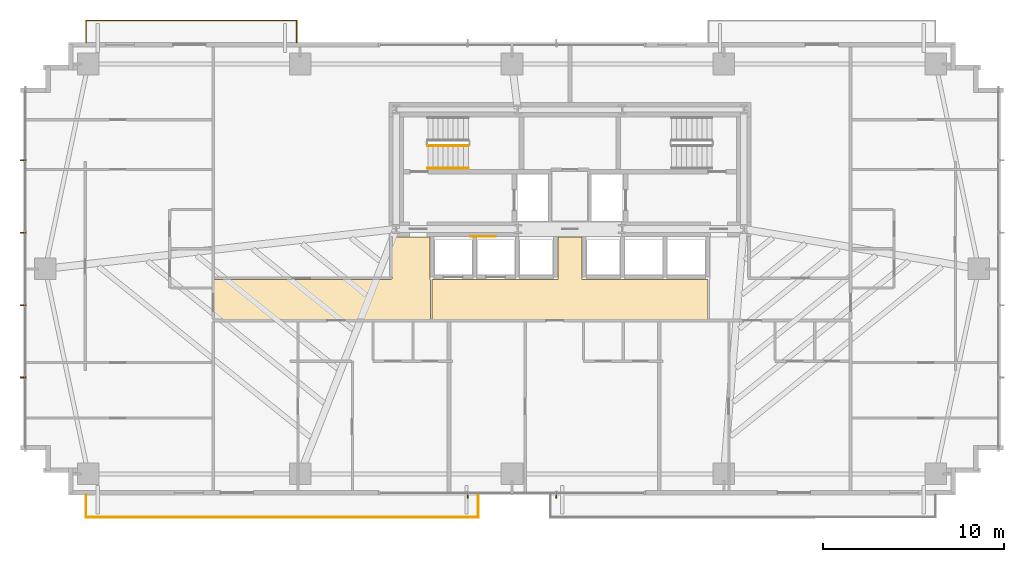
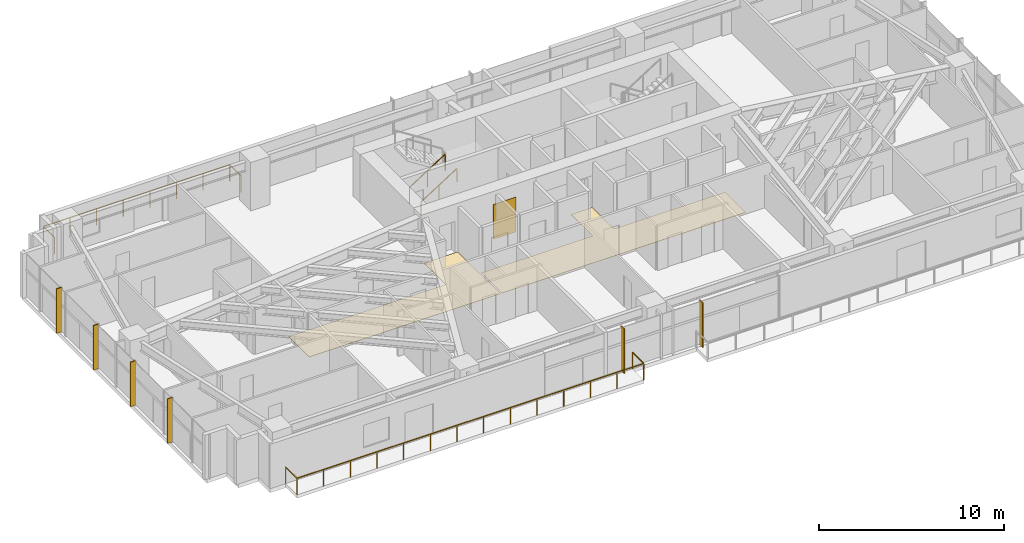
# One storey, part 23 of 25: 6 shading devices, 4 railings, 3 coverings.
"""IFC4 building model written with IfcOpenShell, lengths in metres."""

from ifc_helpers import new_model, si_unit, direction, frame, origin, origin_2d, place, context, subcontext, project, spatial, polyline, rectangle, outline, extrude, source, transform, mapped, material, layer, layer_set, type_object, type_shapes, element, save


model = new_model("IFC4")

# Units and contexts
model_context = context("Model", 3, precision=1e-05, world=origin(), true_north=direction((0.0, 1.0)))
body_context = subcontext(model_context, "Body", "Model", "MODEL_VIEW")
ifc_project = project(units=[si_unit("LENGTHUNIT", "METRE"), si_unit("AREAUNIT", "SQUARE_METRE"), si_unit("VOLUMEUNIT", "CUBIC_METRE"), si_unit("PLANEANGLEUNIT", "RADIAN"), si_unit("MASSUNIT", "GRAM", prefix="KILO")], contexts=[model_context])

# Site, building, storey
site_placement = place(None, origin())
site = spatial("IfcSite", under=ifc_project, at=site_placement, CompositionType="ELEMENT")
building_placement = place(site_placement, origin())
building = spatial("IfcBuilding", under=site, at=building_placement, Name="Astriad Promenade Condominiums", CompositionType="ELEMENT")
storey_placement = place(building_placement, frame((0.0, 0.0, 51.800048828125)))
storey = spatial("IfcBuildingStorey", under=building, at=storey_placement, Name="L14", CompositionType="ELEMENT", Elevation=51.800048828125)

# Coverings
ifc_material_1 = material(Name="Polished Lakefront Terrazzo Flooring")
ifc_layer_1 = layer(ifc_material_1, 0.02001953125)
ifc_layer_set_1 = layer_set([ifc_layer_1], Name="Polished Lakefront Terrazzo Flooring")
covering_type_1 = type_object("IfcCoveringType", Name="COV-FLOR-TERRAZZO-20", PredefinedType="FLOORING", material=ifc_layer_set_1)
covering_1_placement = place(storey_placement, origin())
element("IfcCovering", 1, at=covering_1_placement, inside=storey, type_object=covering_type_1, Name="FLR-L14-LLB", PredefinedType="FLOORING", context=body_context, shape_type="SweptSolid", body=[
    extrude(outline(polyline([(43.610107421875, 14.610107421875), (43.610107421875, 12.389892578125), (28.389892578125, 12.389892578125), (28.389892578125, 14.610107421875), (35.300048828125, 14.610107421875), (35.303955078125, 14.610107421875), (35.307861328125, 14.61083984375), (35.3115234375, 14.61181640625), (35.315185546875, 14.613037109375), (35.31884765625, 14.61474609375), (35.322265625, 14.61669921875), (35.325439453125, 14.619140625), (35.328369140625, 14.62158203125), (35.330810546875, 14.62451171875), (35.333251953125, 14.627685546875), (35.335205078125, 14.631103515625), (35.3369140625, 14.634765625), (35.33837890625, 14.638427734375), (35.339111328125, 14.64208984375), (35.33984375, 14.64599609375), (35.340087890625, 14.64990234375), (35.340087890625, 16.9599609375), (36.659912109375, 16.9599609375), (36.659912109375, 14.64990234375), (36.66015625, 14.64599609375), (36.660888671875, 14.64208984375), (36.66162109375, 14.638427734375), (36.6630859375, 14.634765625), (36.664794921875, 14.631103515625), (36.666748046875, 14.627685546875), (36.669189453125, 14.62451171875), (36.671630859375, 14.62158203125), (36.674560546875, 14.619140625), (36.677734375, 14.61669921875), (36.68115234375, 14.61474609375), (36.684814453125, 14.613037109375), (36.6884765625, 14.61181640625), (36.692138671875, 14.61083984375), (36.696044921875, 14.610107421875), (36.699951171875, 14.610107421875), (43.610107421875, 14.610107421875)])), origin(), (0.0, 0.0, 1.0), 0.02001953125),
])
covering_2_placement = place(storey_placement, origin())
element("IfcCovering", 2, at=covering_2_placement, inside=storey, type_object=covering_type_1, Name="FLR-L14-COR-2", PredefinedType="FLOORING", context=body_context, shape_type="SweptSolid", body=[
    extrude(outline(polyline([(28.300048828125, 12.389892578125), (16.340087890625, 12.389892578125), (16.340087890625, 14.6201171875), (26.1201171875, 14.6201171875), (26.123779296875, 14.6201171875), (26.127685546875, 14.620849609375), (26.131591796875, 14.62158203125), (26.13525390625, 14.623046875), (26.138916015625, 14.624755859375), (26.14208984375, 14.626708984375), (26.1455078125, 14.629150390625), (26.148193359375, 14.631591796875), (26.15087890625, 14.634521484375), (26.1533203125, 14.6376953125), (26.1552734375, 14.64111328125), (26.156982421875, 14.644775390625), (26.158203125, 14.6484375), (26.1591796875, 14.652099609375), (26.159912109375, 14.656005859375), (26.159912109375, 14.659912109375), (26.159912109375, 16.9599609375), (28.260009765625, 16.9599609375), (28.260009765625, 14.64990234375), (28.26025390625, 14.64599609375), (28.2607421875, 14.64208984375), (28.26171875, 14.638427734375), (28.262939453125, 14.634765625), (28.2646484375, 14.631103515625), (28.2666015625, 14.627685546875), (28.26904296875, 14.62451171875), (28.271728515625, 14.62158203125), (28.274658203125, 14.619140625), (28.27783203125, 14.61669921875), (28.281005859375, 14.61474609375), (28.28466796875, 14.613037109375), (28.288330078125, 14.61181640625), (28.292236328125, 14.61083984375), (28.296142578125, 14.610107421875), (28.300048828125, 14.610107421875), (28.300048828125, 12.389892578125)])), origin(), (0.0, 0.0, 1.0), 0.02001953125),
])

# Shading devices
ifc_material_2 = material(Name="Anodised aluminium 6063-T6 Black Fin", Category="aluminium")
shading_device_type = type_object("IfcShadingDeviceType", Name="FIN-BLACK-320", PredefinedType="USERDEFINED", material=ifc_material_2)
shared_shape_1 = source(origin(), body_context, "Body", "SweptSolid", [
    extrude(rectangle(XDim=0.06494140625, YDim=0.320068359375, at=origin_2d()), origin(), (0.0, 0.0, 1.0), 2.93994140625),
])
type_shapes(shading_device_type, [shared_shape_1])
for number, where, z_axis, x_axis, name in (
    (3, (5.7900390625, 9.199951171875, 0.0), (0.0, 0.0, 1.0), (0.0, 1.0, 0.0), "CW-L14-W-FIN-01"),
    (4, (5.7900390625, 13.199951171875, 0.0), (0.0, 0.0, 1.0), (0.0, 1.0, 0.0), "CW-L14-W-FIN-02"),
    (5, (5.7900390625, 17.199951171875, 0.0), (0.0, 0.0, 1.0), (0.0, 1.0, 0.0), "CW-L14-W-FIN-03"),
    (6, (5.7900390625, 21.199951171875, 0.0), (0.0, 0.0, 1.0), (0.0, 1.0, 0.0), "CW-L14-W-FIN-04"),
    (7, (35.25, 2.68994140625, 0.0), (0.0, 0.0, 1.0), (-1.0, 0.0, 0.0), "CW-L14-S-FIN-01"),
    (8, (30.35009765625, 2.68994140625, 0.0), (0.0, 0.0, 1.0), (-1.0, 0.0, 0.0), "CW-L14-S-FIN-02"),
):
    element("IfcShadingDevice", number, at=place(storey_placement, frame(where, z_axis=z_axis, x_axis=x_axis)), inside=storey, type_object=shading_device_type, Name=name, ObjectType="FIN", PredefinedType="USERDEFINED", context=body_context, shape_type="MappedRepresentation", body=[
        mapped(shared_shape_1, transform((0.0, 0.0, 0.0), scale=1.0)),
    ])

# Railings
ifc_material_3 = material(Name="Laminated Glass and Stainless Steel Balustrade", Category="steel")
railing_type_1 = type_object("IfcRailingType", Name="GRD-BALC-1120", PredefinedType="BALUSTRADE", material=ifc_material_3)
shared_shape_2 = source(origin(), body_context, "Body", "SweptSolid", [
    extrude(rectangle(XDim=0.048095703125, YDim=0.048095703125, at=origin_2d()), frame((0.0, 0.0, 1.09619140625), z_axis=(0.0, -1.0, 0.0), x_axis=(1.0, 0.0, 0.0)), (0.0, 0.0, 1.0), 1.219970703125),
    extrude(rectangle(XDim=0.048095703125, YDim=0.048095703125, at=origin_2d()), frame((0.0, -1.219970703125, 1.09619140625), z_axis=(1.0, 0.0, 0.0), x_axis=(0.0, 1.0, 0.0)), (0.0, 0.0, 1.0), 21.6669921875),
    extrude(rectangle(XDim=0.048095703125, YDim=0.048095703125, at=origin_2d()), frame((21.6669921875, -1.219970703125, 1.09619140625), z_axis=(0.0, 1.0, 0.0), x_axis=(-1.0, 0.0, 0.0)), (0.0, 0.0, 1.0), 1.219970703125),
    extrude(rectangle(XDim=0.0419921875, YDim=0.0419921875, at=origin_2d()), origin(), (0.0, 0.0, 1.0), 1.072021484375),
    extrude(rectangle(XDim=0.0419921875, YDim=0.0419921875, at=origin_2d()), frame((0.0, -1.219970703125, 0.0)), (0.0, 0.0, 1.0), 1.072021484375),
    extrude(rectangle(XDim=0.0419921875, YDim=0.0419921875, at=origin_2d()), frame((1.666748046875, -1.219970703125, 0.0)), (0.0, 0.0, 1.0), 1.072021484375),
    extrude(rectangle(XDim=0.0419921875, YDim=0.0419921875, at=origin_2d()), frame((3.33349609375, -1.219970703125, 0.0)), (0.0, 0.0, 1.0), 1.072021484375),
    extrude(rectangle(XDim=0.0419921875, YDim=0.0419921875, at=origin_2d()), frame((5.0, -1.219970703125, 0.0)), (0.0, 0.0, 1.0), 1.072021484375),
    extrude(rectangle(XDim=0.0419921875, YDim=0.0419921875, at=origin_2d()), frame((6.666748046875, -1.219970703125, 0.0)), (0.0, 0.0, 1.0), 1.072021484375),
    extrude(rectangle(XDim=0.0419921875, YDim=0.0419921875, at=origin_2d()), frame((8.33349609375, -1.219970703125, 0.0)), (0.0, 0.0, 1.0), 1.072021484375),
    extrude(rectangle(XDim=0.0419921875, YDim=0.0419921875, at=origin_2d()), frame((10.000244140625, -1.219970703125, 0.0)), (0.0, 0.0, 1.0), 1.072021484375),
    extrude(rectangle(XDim=0.0419921875, YDim=0.0419921875, at=origin_2d()), frame((11.666748046875, -1.219970703125, 0.0)), (0.0, 0.0, 1.0), 1.072021484375),
    extrude(rectangle(XDim=0.0419921875, YDim=0.0419921875, at=origin_2d()), frame((13.33349609375, -1.219970703125, 0.0)), (0.0, 0.0, 1.0), 1.072021484375),
    extrude(rectangle(XDim=0.0419921875, YDim=0.0419921875, at=origin_2d()), frame((15.000244140625, -1.219970703125, 0.0)), (0.0, 0.0, 1.0), 1.072021484375),
    extrude(rectangle(XDim=0.0419921875, YDim=0.0419921875, at=origin_2d()), frame((16.6669921875, -1.219970703125, 0.0)), (0.0, 0.0, 1.0), 1.072021484375),
    extrude(rectangle(XDim=0.0419921875, YDim=0.0419921875, at=origin_2d()), frame((18.33349609375, -1.219970703125, 0.0)), (0.0, 0.0, 1.0), 1.072021484375),
    extrude(rectangle(XDim=0.0419921875, YDim=0.0419921875, at=origin_2d()), frame((20.000244140625, -1.219970703125, 0.0)), (0.0, 0.0, 1.0), 1.072021484375),
    extrude(rectangle(XDim=0.0419921875, YDim=0.0419921875, at=origin_2d()), frame((21.6669921875, -1.219970703125, 0.0)), (0.0, 0.0, 1.0), 1.072021484375),
    extrude(rectangle(XDim=0.0419921875, YDim=0.0419921875, at=origin_2d()), frame((21.6669921875, 0.0, 0.0)), (0.0, 0.0, 1.0), 1.072021484375),
])
railing_1_placement = place(storey_placement, frame((9.277099609375, 2.699951171875, 0.0)))
element("IfcRailing", 9, at=railing_1_placement, inside=storey, type_object=railing_type_1, Name="GRD-BALC-L14-SW", PredefinedType="BALUSTRADE", context=body_context, shape_type="MappedRepresentation", body=[
    mapped(shared_shape_2, transform((0.0, 0.0, 0.0), scale=1.0)),
])
shared_shape_3 = source(origin(), body_context, "Body", "SweptSolid", [
    extrude(rectangle(XDim=0.048095703125, YDim=0.048095703125, at=origin_2d()), frame((0.0, 0.0, 1.09619140625), z_axis=(0.0, 1.0, 0.0), x_axis=(-1.0, 0.0, 0.0)), (0.0, 0.0, 1.0), 1.219970703125),
    extrude(rectangle(XDim=0.048095703125, YDim=0.048095703125, at=origin_2d()), frame((0.0, 1.219970703125, 1.09619140625), z_axis=(-1.0, 0.0, 0.0), x_axis=(0.0, -1.0, 0.0)), (0.0, 0.0, 1.0), 11.642822265625),
    extrude(rectangle(XDim=0.048095703125, YDim=0.048095703125, at=origin_2d()), frame((-11.642822265625, 1.219970703125, 1.09619140625), z_axis=(0.0, -1.0, 0.0), x_axis=(1.0, 0.0, 0.0)), (0.0, 0.0, 1.0), 1.219970703125),
    extrude(rectangle(XDim=0.0419921875, YDim=0.0419921875, at=origin_2d()), origin(), (0.0, 0.0, 1.0), 1.072021484375),
    extrude(rectangle(XDim=0.0419921875, YDim=0.0419921875, at=origin_2d()), frame((0.0, 1.219970703125, 0.0)), (0.0, 0.0, 1.0), 1.072021484375),
    extrude(rectangle(XDim=0.0419921875, YDim=0.0419921875, at=origin_2d()), frame((-1.663330078125, 1.219970703125, 0.0)), (0.0, 0.0, 1.0), 1.072021484375),
    extrude(rectangle(XDim=0.0419921875, YDim=0.0419921875, at=origin_2d()), frame((-3.326416015625, 1.219970703125, 0.0)), (0.0, 0.0, 1.0), 1.072021484375),
    extrude(rectangle(XDim=0.0419921875, YDim=0.0419921875, at=origin_2d()), frame((-4.98974609375, 1.219970703125, 0.0)), (0.0, 0.0, 1.0), 1.072021484375),
    extrude(rectangle(XDim=0.0419921875, YDim=0.0419921875, at=origin_2d()), frame((-6.653076171875, 1.219970703125, 0.0)), (0.0, 0.0, 1.0), 1.072021484375),
    extrude(rectangle(XDim=0.0419921875, YDim=0.0419921875, at=origin_2d()), frame((-8.31640625, 1.219970703125, 0.0)), (0.0, 0.0, 1.0), 1.072021484375),
    extrude(rectangle(XDim=0.0419921875, YDim=0.0419921875, at=origin_2d()), frame((-9.9794921875, 1.219970703125, 0.0)), (0.0, 0.0, 1.0), 1.072021484375),
    extrude(rectangle(XDim=0.0419921875, YDim=0.0419921875, at=origin_2d()), frame((-11.642822265625, 1.219970703125, 0.0)), (0.0, 0.0, 1.0), 1.072021484375),
    extrude(rectangle(XDim=0.0419921875, YDim=0.0419921875, at=origin_2d()), frame((-11.642822265625, 0.0, 0.0)), (0.0, 0.0, 1.0), 1.072021484375),
])
type_shapes(railing_type_1, [shared_shape_2, shared_shape_3])
railing_2_placement = place(storey_placement, frame((20.919921875, 27.699951171875, 0.0)))
element("IfcRailing", 10, at=railing_2_placement, inside=storey, type_object=railing_type_1, Name="GRD-BALC-L14-NW", PredefinedType="BALUSTRADE", context=body_context, shape_type="MappedRepresentation", body=[
    mapped(shared_shape_3, transform((0.0, 0.0, 0.0), scale=1.0)),
])
ifc_material_4 = material(Name="Painted Galvanised Steel Guardrail", Category="steel")
railing_type_2 = type_object("IfcRailingType", Name="GRD-STAIR-1100", PredefinedType="GUARDRAIL", material=ifc_material_4)
shared_shape_4 = source(origin(), body_context, "Body", "SweptSolid", [
    extrude(rectangle(XDim=0.048095703125, YDim=0.048095703125, at=origin_2d()), frame((0.0, 0.0, 1.076171875), z_axis=(0.8442293374, 0.0, 0.53598211339), x_axis=(0.0, 1.0, 0.0)), (0.0, 0.0, 1.0), 2.6533203125),
    extrude(rectangle(XDim=0.0419921875, YDim=0.0419921875, at=origin_2d()), origin(), (0.0, 0.0, 1.0), 1.052001953125),
    extrude(rectangle(XDim=0.0419921875, YDim=0.0419921875, at=origin_2d()), frame((1.1201171875, 0.0, 0.7109375)), (0.0, 0.0, 1.0), 1.052001953125),
    extrude(rectangle(XDim=0.0419921875, YDim=0.0419921875, at=origin_2d()), frame((2.239990234375, 0.0, 1.422119140625)), (0.0, 0.0, 1.0), 1.052001953125),
])
type_shapes(railing_type_2, [shared_shape_4])
railing_3_placement = place(storey_placement, frame((28.14990234375, 22.0, 0.177734375)))
element("IfcRailing", 11, at=railing_3_placement, inside=storey, type_object=railing_type_2, Name="L14 ST-1 stair guard 1", PredefinedType="GUARDRAIL", context=body_context, shape_type="MappedRepresentation", body=[
    mapped(shared_shape_4, transform((0.0, 0.0, 0.0), scale=1.0)),
])
ifc_material_5 = material(Name="Brushed Stainless Steel Handrail", Category="steel")
railing_type_3 = type_object("IfcRailingType", Name="HRL-STAIR-920", PredefinedType="HANDRAIL", material=ifc_material_5)
shared_shape_5 = source(origin(), body_context, "Body", "SweptSolid", [
    extrude(rectangle(XDim=0.048095703125, YDim=0.048095703125, at=origin_2d()), frame((0.0, 0.0, 0.8759765625), z_axis=(0.8442293374, 0.0, 0.53598211339), x_axis=(0.0, 1.0, 0.0)), (0.0, 0.0, 1.0), 2.6533203125),
    extrude(rectangle(XDim=0.0419921875, YDim=0.0419921875, at=origin_2d()), origin(), (0.0, 0.0, 1.0), 0.851806640625),
    extrude(rectangle(XDim=0.0419921875, YDim=0.0419921875, at=origin_2d()), frame((1.1201171875, 0.0, 0.7109375)), (0.0, 0.0, 1.0), 0.851806640625),
    extrude(rectangle(XDim=0.0419921875, YDim=0.0419921875, at=origin_2d()), frame((2.239990234375, 0.0, 1.422119140625)), (0.0, 0.0, 1.0), 0.851806640625),
])
type_shapes(railing_type_3, [shared_shape_5])
railing_4_placement = place(storey_placement, frame((28.14990234375, 20.75, 0.177734375)))
element("IfcRailing", 12, at=railing_4_placement, inside=storey, type_object=railing_type_3, Name="L14 ST-1 stair handrail 1", PredefinedType="HANDRAIL", context=body_context, shape_type="MappedRepresentation", body=[
    mapped(shared_shape_5, transform((0.0, 0.0, 0.0), scale=1.0)),
])

# Covering
ifc_material_6 = material(Name="Fire-Retardant Acoustic Oak Wall Cladding")
ifc_layer_2 = layer(ifc_material_6, 0.02490234375)
ifc_layer_set_2 = layer_set([ifc_layer_2], Name="Fire-Retardant Acoustic Oak Wall Cladding")
covering_type_2 = type_object("IfcCoveringType", Name="COV-CLAD-TIMBER-25", PredefinedType="CLADDING", material=ifc_layer_set_2)
shared_shape_6 = source(origin(), body_context, "Body", "SweptSolid", [
    extrude(rectangle(XDim=1.39990234375, YDim=0.02490234375, at=origin_2d()), origin(), (0.0, 0.0, 1.0), 2.300048828125),
])
type_shapes(covering_type_2, [shared_shape_6])
covering_3_placement = place(storey_placement, frame((31.199951171875, 16.991455078125, 0.0498046875), z_axis=(0.0, 0.0, 1.0), x_axis=(1.0, 0.0, 0.0)))
element("IfcCovering", 13, at=covering_3_placement, inside=storey, type_object=covering_type_2, Name="CLAD-LOB-L14", PredefinedType="CLADDING", context=body_context, shape_type="MappedRepresentation", body=[
    mapped(shared_shape_6, transform((0.0, 0.0, 0.0), scale=1.0)),
])

save(model, "model.ifc")
